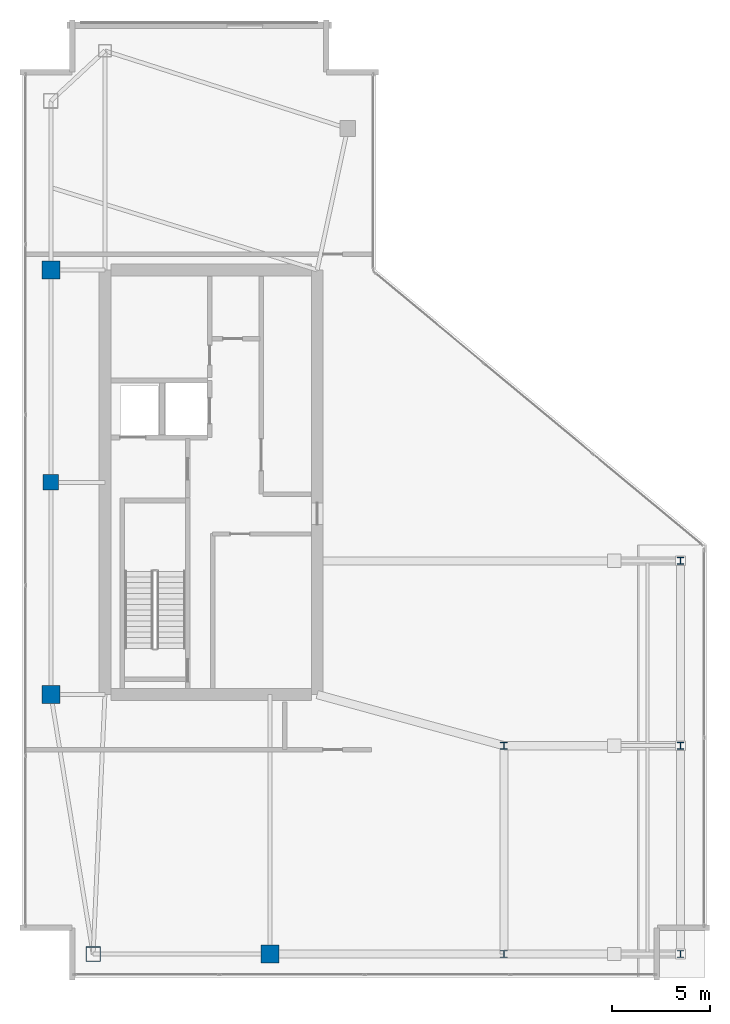
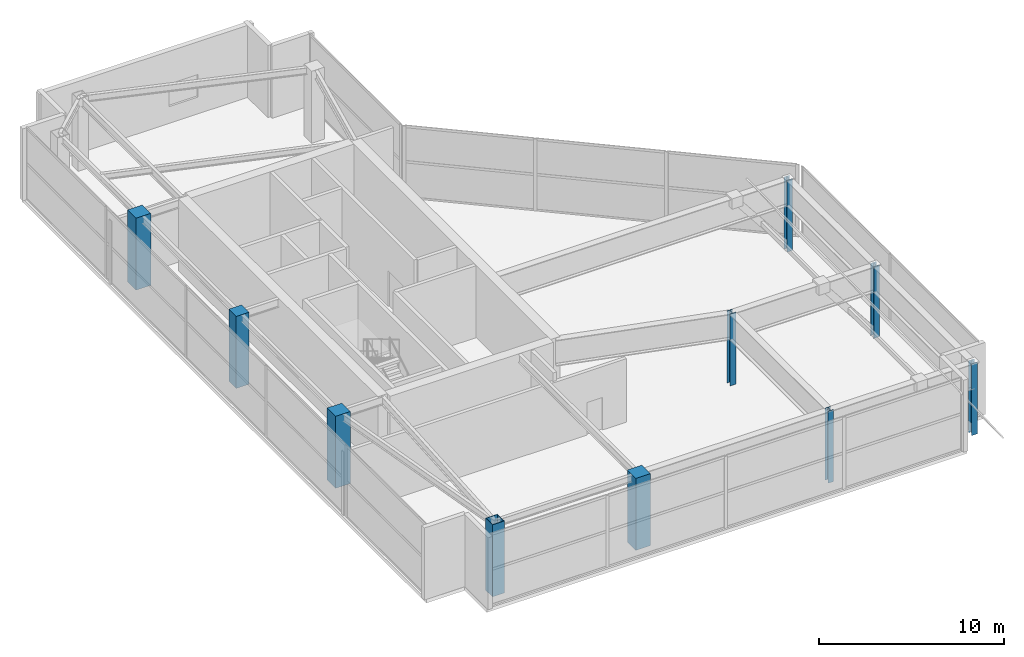
# One storey, part 1 of 21: 10 columns.
"""IFC4 building model written with IfcOpenShell, lengths in metres."""

from ifc_helpers import new_model, si_unit, direction, frame, origin, origin_2d, place, context, subcontext, project, spatial, rectangle, hollow_rectangle, i_section, extrude, material, material_profile, profile_set, type_object, element, save


model = new_model("IFC4")

# Units and contexts
model_context = context("Model", 3, precision=1e-05, world=origin(), true_north=direction((0.0, 1.0)))
body_context = subcontext(model_context, "Body", "Model", "MODEL_VIEW")
ifc_project = project(units=[si_unit("LENGTHUNIT", "METRE"), si_unit("AREAUNIT", "SQUARE_METRE"), si_unit("VOLUMEUNIT", "CUBIC_METRE"), si_unit("PLANEANGLEUNIT", "RADIAN"), si_unit("MASSUNIT", "GRAM", prefix="KILO")], contexts=[model_context])

# Site, building, storey
site_placement = place(None, origin())
site = spatial("IfcSite", under=ifc_project, at=site_placement, CompositionType="ELEMENT")
building_placement = place(site_placement, origin())
building = spatial("IfcBuilding", under=site, at=building_placement, Name="Calvorn Quay Hotel", CompositionType="ELEMENT")
storey_placement = place(building_placement, frame((0.0, 0.0, 320.5)))
storey = spatial("IfcBuildingStorey", under=building, at=storey_placement, Name="L79", CompositionType="ELEMENT", Elevation=320.5)

# Columns
ifc_material_1 = material(Name="Concrete C45", Category="concrete")
ifc_material_profile_1 = material_profile(ifc_material_1, rectangle(XDim=0.800048828125, YDim=0.800048828125, at=origin_2d()), Name="RC800x800")
ifc_profile_set_1 = profile_set([ifc_material_profile_1], Name="Concrete C45")
column_type_1 = type_object("IfcColumnType", Name="COL-RC-800", PredefinedType="COLUMN", material=ifc_profile_set_1)
column_1_placement = place(storey_placement, frame((1.449951171875, 27.60009765625, 0.0), z_axis=(0.0, 0.0, 1.0), x_axis=(1.0, 0.0, 0.0)))
element("IfcColumn", 1, at=column_1_placement, inside=storey, type_object=column_type_1, Name="Column C-W3 (L79)", PredefinedType="COLUMN", context=body_context, shape_type="SweptSolid", body=[
    extrude(rectangle(XDim=0.800048828125, YDim=0.800048828125, at=origin_2d()), origin(), (0.0, 0.0, 1.0), 4.760009765625),
])
ifc_material_2 = material(Name="Concrete C45", Category="concrete")
ifc_material_profile_2 = material_profile(ifc_material_2, rectangle(XDim=0.919921875, YDim=0.919921875, at=origin_2d()), Name="RC920x920")
ifc_profile_set_2 = profile_set([ifc_material_profile_2], Name="Concrete C45")
column_type_2 = type_object("IfcColumnType", Name="COL-RC-920", PredefinedType="COLUMN", material=ifc_profile_set_2)
for number, where, z_axis, x_axis, name in (
    (2, (1.449951171875, 16.800048828125, 0.0), (0.0, 0.0, 1.0), (1.0, 0.0, 0.0), "Column C-W2 (L79)"),
    (3, (1.449951171875, 38.39990234375, 0.0), (0.0, 0.0, 1.0), (1.0, 0.0, 0.0), "Column C-W4 (L79)"),
    (4, (12.60009765625, 3.60009765625, 0.0), (0.0, 0.0, 1.0), (1.0, 0.0, 0.0), "Column C-S1 (L79)"),
):
    element("IfcColumn", number, at=place(storey_placement, frame(where, z_axis=z_axis, x_axis=x_axis)), inside=storey, type_object=column_type_2, Name=name, PredefinedType="COLUMN", context=body_context, shape_type="SweptSolid", body=[
        extrude(rectangle(XDim=0.919921875, YDim=0.919921875, at=origin_2d()), origin(), (0.0, 0.0, 1.0), 4.760009765625),
    ])
ifc_material_3 = material(Name="Steel Q390GJC", Category="steel")
ifc_material_profile_3 = material_profile(ifc_material_3, i_section(OverallWidth=0.35009765625, OverallDepth=0.35009765625, WebThickness=0.011962890625, FlangeThickness=0.01904296875, FilletRadius=0.01806640625, at=origin_2d()), Name="HW350x350x12x19")
ifc_profile_set_3 = profile_set([ifc_material_profile_3], Name="Steel Q390GJC")
column_type_3 = type_object("IfcColumnType", Name="COL-STL-CRN", PredefinedType="COLUMN", material=ifc_profile_set_3)
for number, where, z_axis, x_axis, name in (
    (5, (33.48291015625, 3.60009765625, 0.0), (0.0, 0.0, 1.0), (1.0, 0.0, 0.0), "Column C-CR1 (L79)"),
    (6, (33.48291015625, 14.199951171875, 0.0), (0.0, 0.0, 1.0), (1.0, 0.0, 0.0), "Column C-CR2 (L79)"),
    (7, (33.48291015625, 23.60009765625, 0.0), (0.0, 0.0, 1.0), (1.0, 0.0, 0.0), "Column C-CR3 (L79)"),
    (8, (24.5, 3.60009765625, 0.0), (0.0, 0.0, 1.0), (1.0, 0.0, 0.0), "Column C-CRM1 (L79)"),
    (9, (24.5, 14.199951171875, 0.0), (0.0, 0.0, 1.0), (1.0, 0.0, 0.0), "Column C-CRM2 (L79)"),
):
    element("IfcColumn", number, at=place(storey_placement, frame(where, z_axis=z_axis, x_axis=x_axis)), inside=storey, type_object=column_type_3, Name=name, PredefinedType="COLUMN", context=body_context, shape_type="SweptSolid", body=[
        extrude(i_section(OverallWidth=0.35009765625, OverallDepth=0.35009765625, WebThickness=0.011962890625, FlangeThickness=0.01904296875, FilletRadius=0.01806640625, at=origin_2d()), origin(), (0.0, 0.0, 1.0), 4.760009765625),
    ])
ifc_material_4 = material(Name="Steel Q390GJC", Category="steel")
ifc_material_profile_4 = material_profile(ifc_material_4, hollow_rectangle(XDim=0.75, YDim=0.75, WallThickness=0.031982421875, at=origin_2d()), Name="BOX750x750x32")
ifc_profile_set_4 = profile_set([ifc_material_profile_4], Name="Steel Q390GJC")
column_type_4 = type_object("IfcColumnType", Name="COL-STL-Z3", PredefinedType="COLUMN", material=ifc_profile_set_4)
column_2_placement = place(storey_placement, frame((3.60009765625, 3.60009765625, 0.0), z_axis=(0.0, 0.0, 1.0), x_axis=(1.0, 0.0, 0.0)))
element("IfcColumn", 10, at=column_2_placement, inside=storey, type_object=column_type_4, Name="Column C-W1 (L79)", PredefinedType="COLUMN", context=body_context, shape_type="SweptSolid", body=[
    extrude(hollow_rectangle(XDim=0.75, YDim=0.75, WallThickness=0.031982421875, at=origin_2d()), origin(), (0.0, 0.0, 1.0), 4.760009765625),
])

save(model, "model.ifc")
